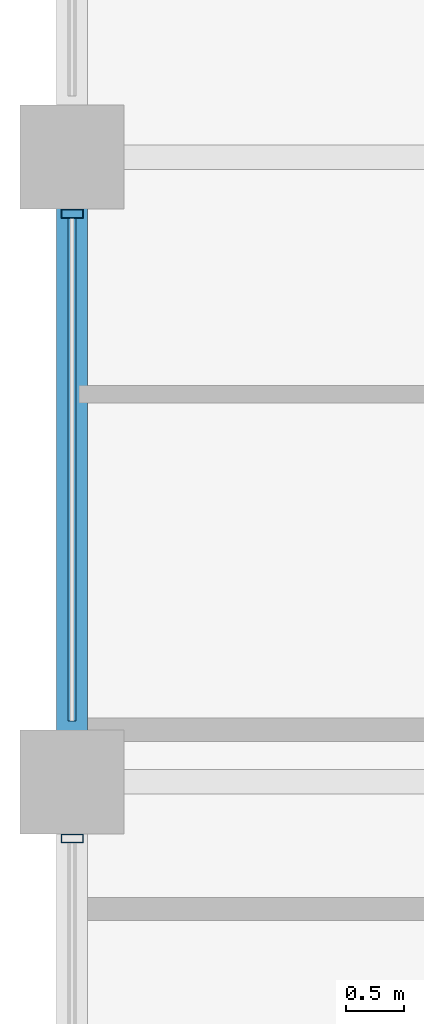
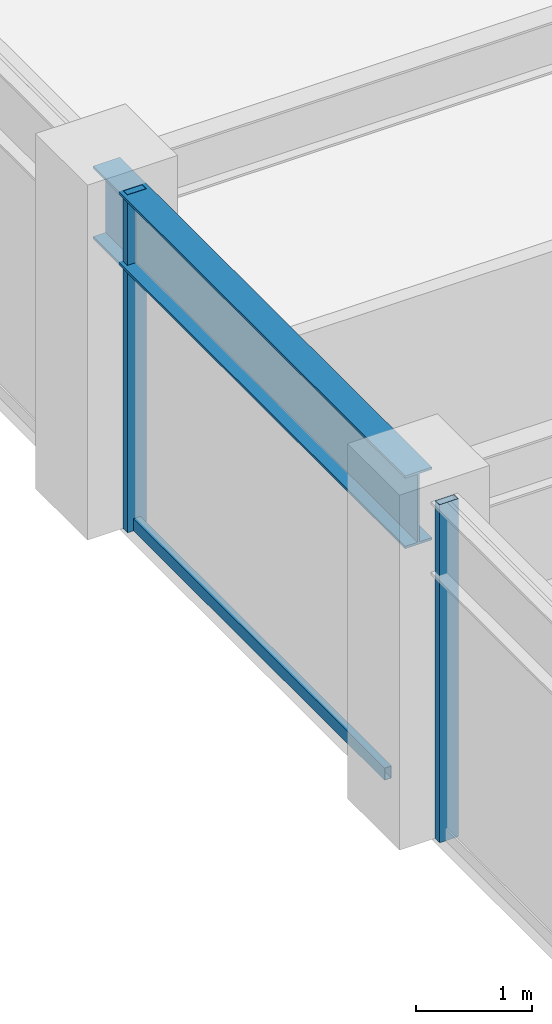
# One storey, part 10 of 32: 3 members, 1 beam, 1 element without a shape of its own.
"""IFC4 building model written with IfcOpenShell, lengths in metres."""

from ifc_helpers import new_model, si_unit, direction, frame, origin, origin_2d, place, context, subcontext, project, spatial, hollow_rectangle, i_section, extrude, material, layer, layer_set, material_profile, profile_set, type_object, element, aggregate, save


model = new_model("IFC4")

# Units and contexts
model_context = context("Model", 3, precision=1e-05, world=origin(), true_north=direction((0.0, 1.0)))
body_context = subcontext(model_context, "Body", "Model", "MODEL_VIEW")
ifc_project = project(units=[si_unit("LENGTHUNIT", "METRE"), si_unit("AREAUNIT", "SQUARE_METRE"), si_unit("VOLUMEUNIT", "CUBIC_METRE"), si_unit("PLANEANGLEUNIT", "RADIAN"), si_unit("MASSUNIT", "GRAM", prefix="KILO")], contexts=[model_context])

# Site, building, storey
site_placement = place(None, origin())
site = spatial("IfcSite", under=ifc_project, at=site_placement, CompositionType="ELEMENT")
building_placement = place(site_placement, origin())
building = spatial("IfcBuilding", under=site, at=building_placement, Name="Surkhivell Harbour Commons", CompositionType="ELEMENT")
storey_placement = place(building_placement, frame((0.0, 0.0, 197.25)))
storey = spatial("IfcBuildingStorey", under=building, at=storey_placement, Name="L51", CompositionType="ELEMENT", Elevation=197.25)

# Beam
ifc_material_1 = material(Name="Steel S355", Category="steel")
ifc_material_profile_1 = material_profile(ifc_material_1, i_section(OverallWidth=0.26806640625, OverallDepth=0.77001953125, WebThickness=0.015625, FlangeThickness=0.025390625, at=origin_2d()), Name="UB762x267x197")
ifc_profile_set_1 = profile_set([ifc_material_profile_1], Name="Steel S355")
beam_type = type_object("IfcBeamType", Name="BM-SPN-762", PredefinedType="SPANDREL", material=ifc_profile_set_1)
beam_placement = place(storey_placement, frame((-27.0, 5.39990234375, 3.18505859375), z_axis=(0.0, 1.0, 0.0), x_axis=(-1.0, 0.0, 0.0)))
element("IfcBeam", 1, at=beam_placement, inside=storey, type_object=beam_type, Name="L51 Tube Spandrel (-27.0,5.4)", PredefinedType="SPANDREL", context=body_context, shape_type="SweptSolid", body=[
    extrude(i_section(OverallWidth=0.26806640625, OverallDepth=0.77001953125, WebThickness=0.015625, FlangeThickness=0.025390625, at=origin_2d()), origin(), (0.0, 0.0, 1.0), 5.400146484375),
])

# Curtain wall, members
ifc_material_2 = material(Name="Anodised pale-metal aluminium and insulated glazing", Category="aluminium")
ifc_layer = layer(ifc_material_2, 0.18994140625)
ifc_layer_set = layer_set([ifc_layer], Name="Anodised pale-metal aluminium and insulated glazing")
curtain_wall_type = type_object("IfcCurtainWallType", Name="CW-SYS-Z3", PredefinedType="NOTDEFINED", material=ifc_layer_set)
curtain_wall_placement = place(storey_placement, origin())
curtain_wall = element("IfcCurtainWall", 2, at=curtain_wall_placement, inside=storey, type_object=curtain_wall_type, Name="L51 Curtain Wall CW-L51-E12S1", PredefinedType="NOTDEFINED")
ifc_material_3 = material(Name="Anodised pale-metal aluminium alloy 6063-T6", Category="aluminium")
ifc_material_profile_2 = material_profile(ifc_material_3, hollow_rectangle(XDim=0.074951171875, YDim=0.18994140625, WallThickness=0.00390625, at=origin_2d()), Name="ALU-MULL-75x190")
ifc_profile_set_2 = profile_set([ifc_material_profile_2], Name="Anodised pale-metal aluminium alloy 6063-T6")
member_type_1 = type_object("IfcMemberType", Name="CWM-190", PredefinedType="MULLION", material=ifc_profile_set_2)
member_1_placement = place(storey_placement, frame((-27.0, 10.310546875, 0.0), z_axis=(0.0, 0.0, 1.0), x_axis=(0.0, -1.0, 0.0)))
member_1 = element("IfcMember", 3, at=member_1_placement, type_object=member_type_1, Name="CW-Z3 mullion 3", PredefinedType="MULLION", context=body_context, shape_type="SweptSolid", body=[
    extrude(hollow_rectangle(XDim=0.074951171875, YDim=0.18994140625, WallThickness=0.00390625, at=origin_2d()), origin(), (0.0, 0.0, 1.0), 3.570068359375),
])
member_2_placement = place(storey_placement, frame((-27.0, 4.910400390625, 0.0), z_axis=(0.0, 0.0, 1.0), x_axis=(0.0, -1.0, 0.0)))
member_2 = element("IfcMember", 4, at=member_2_placement, type_object=member_type_1, Name="CW-Z3 mullion 4", PredefinedType="MULLION", context=body_context, shape_type="SweptSolid", body=[
    extrude(hollow_rectangle(XDim=0.074951171875, YDim=0.18994140625, WallThickness=0.00390625, at=origin_2d()), origin(), (0.0, 0.0, 1.0), 3.570068359375),
])
ifc_material_4 = material(Name="Champagne anodised aluminium alloy 6063-T6", Category="aluminium")
ifc_material_profile_3 = material_profile(ifc_material_4, hollow_rectangle(XDim=0.070068359375, YDim=0.1298828125, WallThickness=0.00341796875, at=origin_2d()), Name="ALU-TRAN-70x130")
ifc_profile_set_3 = profile_set([ifc_material_profile_3], Name="Champagne anodised aluminium alloy 6063-T6")
member_type_2 = type_object("IfcMemberType", Name="CWT-130", PredefinedType="USERDEFINED", material=ifc_profile_set_3)
member_3_placement = place(storey_placement, frame((-27.0, 10.27294921875, 0.06494140625), z_axis=(0.0, -1.0, 0.0), x_axis=(1.0, 0.0, 0.0)))
member_3 = element("IfcMember", 5, at=member_3_placement, type_object=member_type_2, Name="CW-Z3 transom 3.1", ObjectType="TRANSOM", PredefinedType="USERDEFINED", context=body_context, shape_type="SweptSolid", body=[
    extrude(hollow_rectangle(XDim=0.070068359375, YDim=0.1298828125, WallThickness=0.00341796875, at=origin_2d()), origin(), (0.0, 0.0, 1.0), 4.345947265625),
])
aggregate(curtain_wall, [member_1, member_3, member_2])

save(model, "model.ifc")
